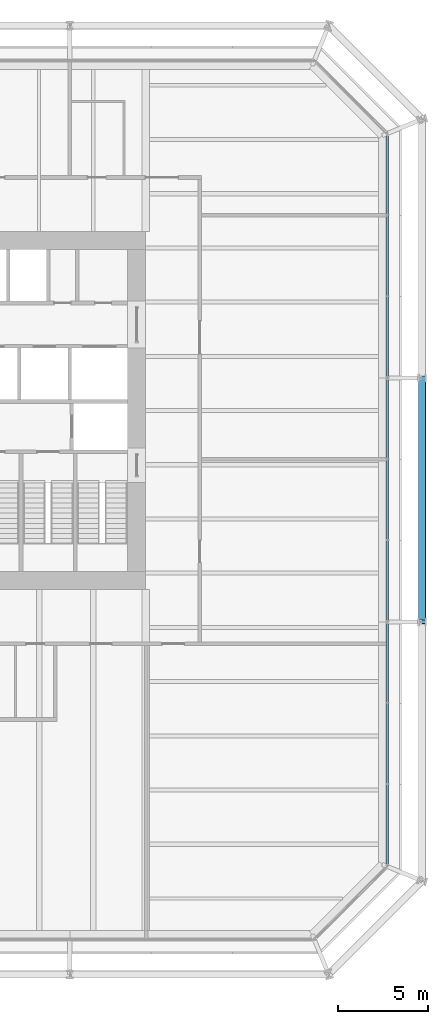
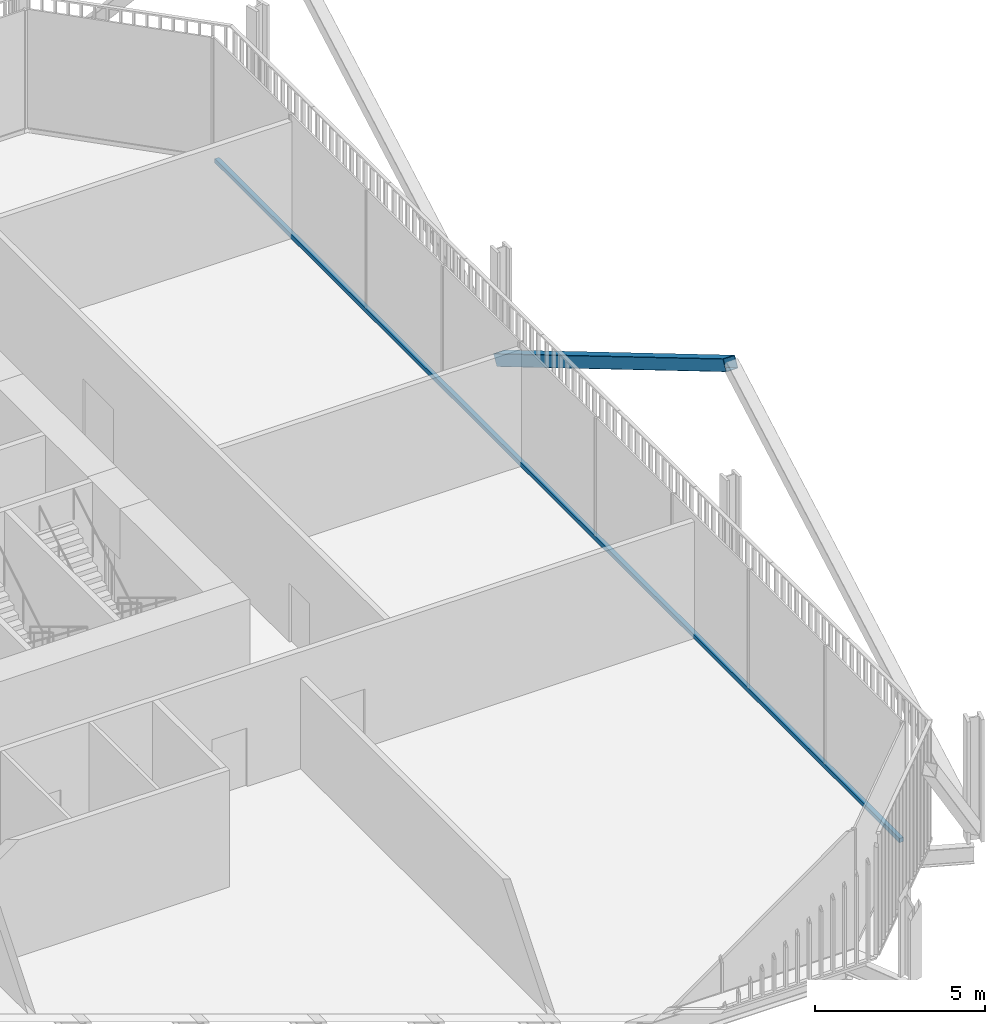
# One storey, part 9 of 21: 2 members, 1 element without a shape of its own.
"""IFC4 building model written with IfcOpenShell, lengths in metres."""

from ifc_helpers import new_model, si_unit, direction, frame, origin, origin_2d, place, context, subcontext, project, spatial, rectangle, hollow_rectangle, extrude, material, layer, layer_set, material_profile, profile_set, type_object, element, aggregate, save


model = new_model("IFC4")

# Units and contexts
model_context = context("Model", 3, precision=1e-05, world=origin(), true_north=direction((0.0, 1.0)))
body_context = subcontext(model_context, "Body", "Model", "MODEL_VIEW")
ifc_project = project(units=[si_unit("LENGTHUNIT", "METRE"), si_unit("AREAUNIT", "SQUARE_METRE"), si_unit("VOLUMEUNIT", "CUBIC_METRE"), si_unit("PLANEANGLEUNIT", "RADIAN"), si_unit("MASSUNIT", "GRAM", prefix="KILO")], contexts=[model_context])

# Site, building, storey
site_placement = place(None, origin())
site = spatial("IfcSite", under=ifc_project, at=site_placement, CompositionType="ELEMENT")
building_placement = place(site_placement, origin())
building = spatial("IfcBuilding", under=site, at=building_placement, Name="Millrace Tower", CompositionType="ELEMENT")
storey_placement = place(building_placement, frame((0.0, 0.0, 82.0)))
storey = spatial("IfcBuildingStorey", under=building, at=storey_placement, Name="L18", CompositionType="ELEMENT", Elevation=82.0)

# Curtain wall, member
ifc_material_1 = material(Name="Aluminium and glass", Category="aluminium")
ifc_layer = layer(ifc_material_1, 0.14990234375)
ifc_layer_set = layer_set([ifc_layer], Name="Aluminium and glass")
curtain_wall_type = type_object("IfcCurtainWallType", Name="CW-3 telecom floor curtain wall", PredefinedType="NOTDEFINED", material=ifc_layer_set)
curtain_wall_placement = place(storey_placement, origin())
curtain_wall = element("IfcCurtainWall", 1, at=curtain_wall_placement, inside=storey, type_object=curtain_wall_type, Name="Curtain wall B-F04 L18", PredefinedType="NOTDEFINED")
ifc_material_2 = material(Name="Aluminium", Category="aluminium")
ifc_material_profile_1 = material_profile(ifc_material_2, rectangle(XDim=0.14990234375, YDim=0.14990234375, at=origin_2d()))
ifc_profile_set_1 = profile_set([ifc_material_profile_1], Name="Aluminium")
member_type_1 = type_object("IfcMemberType", Name="CW-3 telecom floor curtain wall transom", PredefinedType="USERDEFINED", material=ifc_profile_set_1)
member_1_placement = place(storey_placement, frame((28.27490234375, -25.10009765625, 0.074951171875), z_axis=(0.0, 1.0, 0.0), x_axis=(-1.0, 0.0, 0.0)))
member_1 = element("IfcMember", 2, at=member_1_placement, type_object=member_type_1, Name="CW3 transom B-F04.1", ObjectType="TRANSOM", PredefinedType="USERDEFINED", context=body_context, shape_type="SweptSolid", body=[
    extrude(rectangle(XDim=0.14990234375, YDim=0.14990234375, at=origin_2d()), origin(), (0.0, 0.0, 1.0), 40.300048828125),
])
aggregate(curtain_wall, [member_1])

# Member
ifc_material_3 = material(Name="Steel ASTM A500 Grade C", Category="steel")
ifc_material_profile_2 = material_profile(ifc_material_3, hollow_rectangle(XDim=0.406494140625, YDim=0.406494140625, WallThickness=0.015869140625, InnerFilletRadius=0.008056640625, OuterFilletRadius=0.02392578125, at=origin_2d()))
ifc_profile_set_2 = profile_set([ifc_material_profile_2], Name="Steel ASTM A500 Grade C")
member_type_2 = type_object("IfcMemberType", Name="Exoskeleton brace HSS16x16x5/8", PredefinedType="BRACE", material=ifc_profile_set_2)
member_2_placement = place(storey_placement, frame((30.199951171875, 1.800048828125, 0.39990234375), z_axis=(0.0, -0.860291533634, 0.509802390302), x_axis=(1.0, 0.0, 0.0)))
element("IfcMember", 3, at=member_2_placement, inside=storey, type_object=member_type_2, Name="BRC-B-L18-07", PredefinedType="BRACE", context=body_context, shape_type="SweptSolid", body=[
    extrude(hollow_rectangle(XDim=0.406494140625, YDim=0.406494140625, WallThickness=0.015869140625, InnerFilletRadius=0.008056640625, OuterFilletRadius=0.02392578125, at=origin_2d()), origin(), (0.0, 0.0, 1.0), 15.6923828125),
])

save(model, "model.ifc")
